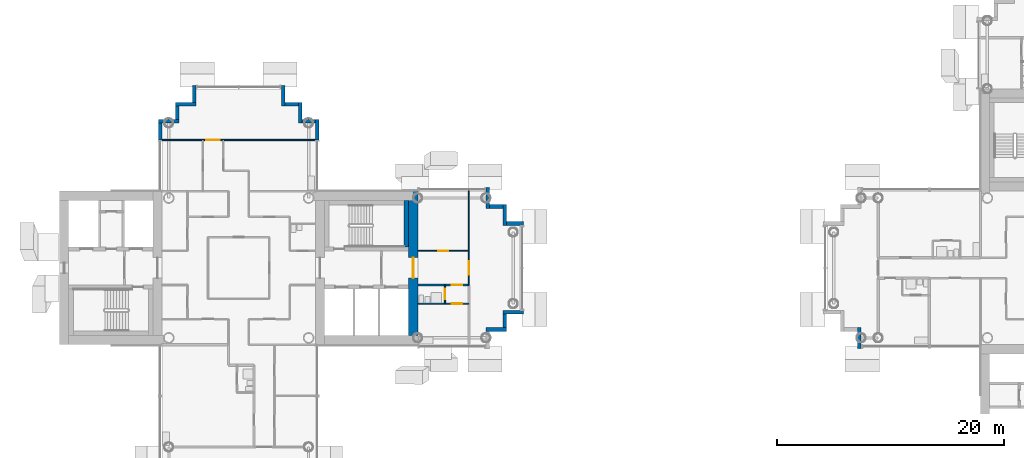
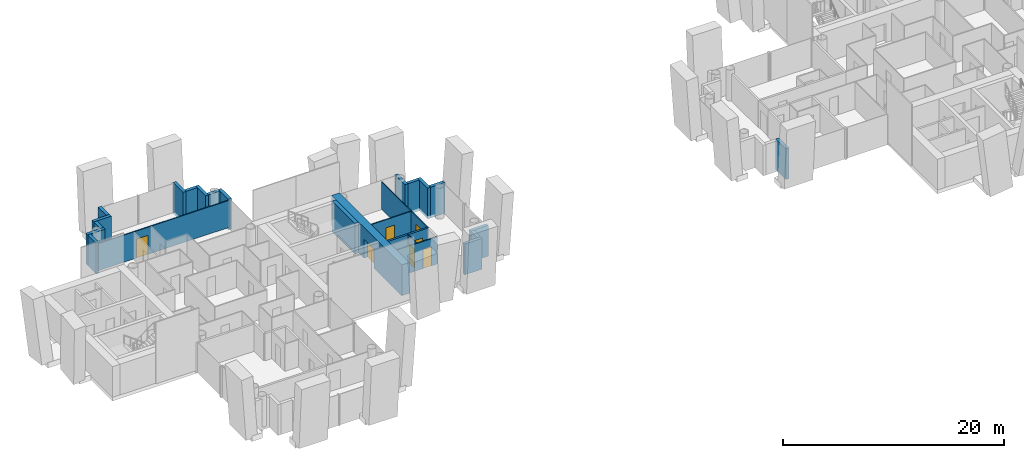
# One storey, part 8 of 18: 26 walls, 7 doors, 7 openings.
"""IFC4 building model written with IfcOpenShell, lengths in metres."""

from ifc_helpers import new_model, si_unit, direction, frame, frame_2d, origin, place, context, subcontext, project, spatial, rectangle, extrude, material, layer, layer_set, type_object, element, fill, save


model = new_model("IFC4")

# Units and contexts
model_context = context("Model", 3, precision=1e-05, world=origin(), true_north=direction((0.0, 1.0)))
body_context = subcontext(model_context, "Body", "Model", "MODEL_VIEW")
ifc_project = project(units=[si_unit("LENGTHUNIT", "METRE"), si_unit("AREAUNIT", "SQUARE_METRE"), si_unit("VOLUMEUNIT", "CUBIC_METRE"), si_unit("PLANEANGLEUNIT", "RADIAN"), si_unit("MASSUNIT", "GRAM", prefix="KILO")], contexts=[model_context])

# Site, building, storey
site_placement = place(None, origin())
site = spatial("IfcSite", under=ifc_project, at=site_placement, CompositionType="ELEMENT")
building_placement = place(site_placement, origin())
building = spatial("IfcBuilding", under=site, at=building_placement, Name="Ipe Terrace Towers", CompositionType="ELEMENT")
storey_placement = place(building_placement, frame((0.0, 0.0, 164.300048828125)))
storey = spatial("IfcBuildingStorey", under=building, at=storey_placement, Name="L45", CompositionType="ELEMENT", Elevation=164.300048828125)

# Walls
ifc_material_1 = material(Name="Concrete C40/50 with buff precast cladding", Category="concrete")
ifc_layer_1 = layer(ifc_material_1, 0.320068359375)
ifc_layer_set_1 = layer_set([ifc_layer_1], Name="BUFF CLADDING WALL 320")
wall_type_1 = type_object("IfcWallType", Name="BUFF CLADDING WALL 320", PredefinedType="STANDARD", material=ifc_layer_set_1)
wall_1_placement = place(storey_placement, frame((-14.25, -5.409912109375, -0.300048828125), z_axis=(0.0, 0.0, 1.0), x_axis=(1.0, 0.0, 0.0)))
element("IfcWall", 1, at=wall_1_placement, inside=storey, type_object=wall_type_1, Name="T1-W-L45-18a wall", PredefinedType="STANDARD", context=body_context, shape_type="SweptSolid", body=[
    extrude(rectangle(XDim=1.820068359375, YDim=0.320068359375, at=frame_2d((0.91015625, 0.0))), origin(), (0.0, 0.0, 1.0), 3.39990234375),
])
wall_2_placement = place(storey_placement, frame((-12.590087890625, -5.25, -0.300048828125), z_axis=(0.0, 0.0, 1.0), x_axis=(0.0, 1.0, 0.0)))
element("IfcWall", 2, at=wall_2_placement, inside=storey, type_object=wall_type_1, Name="T1-W-L45-19a wall", PredefinedType="STANDARD", context=body_context, shape_type="SweptSolid", body=[
    extrude(rectangle(XDim=1.179931640625, YDim=0.320068359375, at=frame_2d((0.58984375, 0.0))), origin(), (0.0, 0.0, 1.0), 3.39990234375),
])
wall_3_placement = place(storey_placement, frame((-12.75, -3.909912109375, -0.300048828125), z_axis=(0.0, 0.0, 1.0), x_axis=(1.0, 0.0, 0.0)))
element("IfcWall", 3, at=wall_3_placement, inside=storey, type_object=wall_type_1, Name="T1-W-L45-20a wall", PredefinedType="STANDARD", context=body_context, shape_type="SweptSolid", body=[
    extrude(rectangle(XDim=1.820068359375, YDim=0.320068359375, at=frame_2d((0.91015625, 0.0))), origin(), (0.0, 0.0, 1.0), 3.39990234375),
])
wall_4_placement = place(storey_placement, frame((-10.929931640625, 3.909912109375, -0.300048828125), z_axis=(0.0, 0.0, 1.0), x_axis=(-1.0, 0.0, 0.0)))
element("IfcWall", 4, at=wall_4_placement, inside=storey, type_object=wall_type_1, Name="T1-W-L45-22a wall", PredefinedType="STANDARD", context=body_context, shape_type="SweptSolid", body=[
    extrude(rectangle(XDim=1.5, YDim=0.320068359375, at=frame_2d((0.75, 0.0))), origin(), (0.0, 0.0, 1.0), 3.39990234375),
])
wall_5_placement = place(storey_placement, frame((-12.590087890625, 3.75, -0.300048828125), z_axis=(0.0, 0.0, 1.0), x_axis=(0.0, 1.0, 0.0)))
element("IfcWall", 5, at=wall_5_placement, inside=storey, type_object=wall_type_1, Name="T1-W-L45-23a wall", PredefinedType="STANDARD", context=body_context, shape_type="SweptSolid", body=[
    extrude(rectangle(XDim=1.820068359375, YDim=0.320068359375, at=frame_2d((0.91015625, 0.0))), origin(), (0.0, 0.0, 1.0), 3.39990234375),
])
wall_6_placement = place(storey_placement, frame((-12.75, 5.409912109375, -0.300048828125), z_axis=(0.0, 0.0, 1.0), x_axis=(-1.0, 0.0, 0.0)))
element("IfcWall", 6, at=wall_6_placement, inside=storey, type_object=wall_type_1, Name="T1-W-L45-24a wall", PredefinedType="STANDARD", context=body_context, shape_type="SweptSolid", body=[
    extrude(rectangle(XDim=1.179931640625, YDim=0.320068359375, at=frame_2d((0.58984375, 0.0))), origin(), (0.0, 0.0, 1.0), 3.39990234375),
])
for number, where, z_axis, x_axis, name in (
    (7, (-14.090087890625, 5.25, -0.300048828125), (0.0, 0.0, 1.0), (0.0, 1.0, 0.0), "T1-W-L45-25a wall"),
    (8, (-29.090087890625, 11.25, -0.300048828125), (0.0, 0.0, 1.0), (0.0, 1.0, 0.0), "T1-W-L45-29a wall"),
):
    element("IfcWall", number, at=place(storey_placement, frame(where, z_axis=z_axis, x_axis=x_axis)), inside=storey, type_object=wall_type_1, Name=name, PredefinedType="STANDARD", context=body_context, shape_type="SweptSolid", body=[
        extrude(rectangle(XDim=1.820068359375, YDim=0.320068359375, at=frame_2d((0.91015625, 0.0))), origin(), (0.0, 0.0, 1.0), 3.39990234375),
    ])
wall_7_placement = place(storey_placement, frame((-29.25, 12.909912109375, -0.300048828125), z_axis=(0.0, 0.0, 1.0), x_axis=(-1.0, 0.0, 0.0)))
element("IfcWall", 9, at=wall_7_placement, inside=storey, type_object=wall_type_1, Name="T1-W-L45-30a wall", PredefinedType="STANDARD", context=body_context, shape_type="SweptSolid", body=[
    extrude(rectangle(XDim=1.179931640625, YDim=0.320068359375, at=frame_2d((0.58984375, 0.0))), origin(), (0.0, 0.0, 1.0), 3.39990234375),
])
wall_8_placement = place(storey_placement, frame((-30.590087890625, 12.75, -0.300048828125), z_axis=(0.0, 0.0, 1.0), x_axis=(0.0, 1.0, 0.0)))
element("IfcWall", 10, at=wall_8_placement, inside=storey, type_object=wall_type_1, Name="T1-W-L45-31a wall", PredefinedType="STANDARD", context=body_context, shape_type="SweptSolid", body=[
    extrude(rectangle(XDim=1.820068359375, YDim=0.320068359375, at=frame_2d((0.91015625, 0.0))), origin(), (0.0, 0.0, 1.0), 3.39990234375),
])
wall_9_placement = place(storey_placement, frame((-30.75, 14.409912109375, -0.300048828125), z_axis=(0.0, 0.0, 1.0), x_axis=(-1.0, 0.0, 0.0)))
element("IfcWall", 11, at=wall_9_placement, inside=storey, type_object=wall_type_1, Name="T1-W-L45-32a wall", PredefinedType="STANDARD", context=body_context, shape_type="SweptSolid", body=[
    extrude(rectangle(XDim=1.179931640625, YDim=0.320068359375, at=frame_2d((0.58984375, 0.0))), origin(), (0.0, 0.0, 1.0), 3.39990234375),
])
wall_10_placement = place(storey_placement, frame((-32.090087890625, 14.25, -0.300048828125), z_axis=(0.0, 0.0, 1.0), x_axis=(0.0, 1.0, 0.0)))
element("IfcWall", 12, at=wall_10_placement, inside=storey, type_object=wall_type_1, Name="T1-W-L45-33a wall", PredefinedType="STANDARD", context=body_context, shape_type="SweptSolid", body=[
    extrude(rectangle(XDim=1.820068359375, YDim=0.320068359375, at=frame_2d((0.91015625, 0.0))), origin(), (0.0, 0.0, 1.0), 3.39990234375),
])
wall_11_placement = place(storey_placement, frame((-39.909912109375, 16.070068359375, -0.300048828125), z_axis=(0.0, 0.0, 1.0), x_axis=(0.0, -1.0, 0.0)))
element("IfcWall", 13, at=wall_11_placement, inside=storey, type_object=wall_type_1, Name="T1-W-L45-35a wall", PredefinedType="STANDARD", context=body_context, shape_type="SweptSolid", body=[
    extrude(rectangle(XDim=1.5, YDim=0.320068359375, at=frame_2d((0.75, 0.0))), origin(), (0.0, 0.0, 1.0), 3.39990234375),
])
wall_12_placement = place(storey_placement, frame((-39.75, 14.409912109375, -0.300048828125), z_axis=(0.0, 0.0, 1.0), x_axis=(-1.0, 0.0, 0.0)))
element("IfcWall", 14, at=wall_12_placement, inside=storey, type_object=wall_type_1, Name="T1-W-L45-36a wall", PredefinedType="STANDARD", context=body_context, shape_type="SweptSolid", body=[
    extrude(rectangle(XDim=1.820068359375, YDim=0.320068359375, at=frame_2d((0.91015625, 0.0))), origin(), (0.0, 0.0, 1.0), 3.39990234375),
])
wall_13_placement = place(storey_placement, frame((-41.409912109375, 14.25, -0.300048828125), z_axis=(0.0, 0.0, 1.0), x_axis=(0.0, -1.0, 0.0)))
element("IfcWall", 15, at=wall_13_placement, inside=storey, type_object=wall_type_1, Name="T1-W-L45-37a wall", PredefinedType="STANDARD", context=body_context, shape_type="SweptSolid", body=[
    extrude(rectangle(XDim=1.179931640625, YDim=0.320068359375, at=frame_2d((0.58984375, 0.0))), origin(), (0.0, 0.0, 1.0), 3.39990234375),
])
wall_14_placement = place(storey_placement, frame((-41.25, 12.909912109375, -0.300048828125), z_axis=(0.0, 0.0, 1.0), x_axis=(-1.0, 0.0, 0.0)))
element("IfcWall", 16, at=wall_14_placement, inside=storey, type_object=wall_type_1, Name="T1-W-L45-38a wall", PredefinedType="STANDARD", context=body_context, shape_type="SweptSolid", body=[
    extrude(rectangle(XDim=1.820068359375, YDim=0.320068359375, at=frame_2d((0.91015625, 0.0))), origin(), (0.0, 0.0, 1.0), 3.39990234375),
])
wall_15_placement = place(storey_placement, frame((-42.909912109375, 12.75, -0.300048828125), z_axis=(0.0, 0.0, 1.0), x_axis=(0.0, -1.0, 0.0)))
element("IfcWall", 17, at=wall_15_placement, inside=storey, type_object=wall_type_1, Name="T1-W-L45-39a wall", PredefinedType="STANDARD", context=body_context, shape_type="SweptSolid", body=[
    extrude(rectangle(XDim=1.5, YDim=0.320068359375, at=frame_2d((0.75, 0.0))), origin(), (0.0, 0.0, 1.0), 3.39990234375),
])
wall_16_placement = place(storey_placement, frame((18.590087890625, -5.25, -0.300048828125), z_axis=(0.0, 0.0, 1.0), x_axis=(0.0, -1.0, 0.0)))
element("IfcWall", 18, at=wall_16_placement, inside=storey, type_object=wall_type_1, Name="T2-W-L45-38a wall", PredefinedType="STANDARD", context=body_context, shape_type="SweptSolid", body=[
    extrude(rectangle(XDim=1.820068359375, YDim=0.320068359375, at=frame_2d((0.91015625, 0.0))), origin(), (0.0, 0.0, 1.0), 3.39990234375),
])

# Wall, opening, door
ifc_material_2 = material(Name="Gypsum board partition", Category="plasterboard")
ifc_layer_2 = layer(ifc_material_2, 0.10009765625)
ifc_layer_set_2 = layer_set([ifc_layer_2], Name="Gypsum board partition 100 mm")
wall_type_2 = type_object("IfcWallType", Name="Gypsum board partition 100 mm", PredefinedType="PARTITIONING", material=ifc_layer_set_2)
wall_17_placement = place(storey_placement, frame((-17.85009765625, -3.14990234375, 0.0), z_axis=(0.0, 0.0, 1.0), x_axis=(0.0, 1.0, 0.0)))
wall_17 = element("IfcWall", 19, at=wall_17_placement, inside=storey, type_object=wall_type_2, Name="Gypsum board partition T1 L45 W17", PredefinedType="PARTITIONING", context=body_context, shape_type="SweptSolid", body=[
    extrude(rectangle(XDim=1.64990234375, YDim=0.10009765625, at=frame_2d((0.824951171875, 0.0))), origin(), (0.0, 0.0, 1.0), 3.0),
])
opening_1_placement = place(wall_17_placement, frame((0.39990234375, 0.0, 0.0)))
opening_1 = element("IfcOpeningElement", 20, at=opening_1_placement, cuts=wall_17, Name="Opening T1-Z3F-21", PredefinedType="OPENING", context=body_context, shape_type="SweptSolid", body=[
    extrude(rectangle(XDim=0.89990234375, YDim=2.10009765625, at=frame_2d((0.449951171875, 1.050048828125))), frame((0.0, 0.06005859375, 0.0), z_axis=(0.0, -1.0, 0.0), x_axis=(1.0, 0.0, 0.0)), (0.0, 0.0, 1.0), 0.1201171875),
])
ifc_material_3 = material(Name="Timber door leaf", Category="wood")
door_type_1 = type_object("IfcDoorType", Name="Bathroom door 900 x 2100", OperationType="NOTDEFINED", PredefinedType="DOOR", material=ifc_material_3)
door_1_placement = place(opening_1_placement, origin())
door_1 = element("IfcDoor", 21, at=door_1_placement, inside=storey, type_object=door_type_1, Name="Bathroom door T1-Z3F-21", OperationType="SINGLE_SWING_LEFT", OverallHeight=2.10009765625, OverallWidth=0.89990234375, PredefinedType="DOOR", context=body_context, shape_type="SweptSolid", body=[
    extrude(rectangle(XDim=0.89990234375, YDim=2.10009765625, at=frame_2d((0.449951171875, 1.050048828125))), frame((0.0, 0.02490234375, 0.0), z_axis=(0.0, -1.0, 0.0), x_axis=(1.0, 0.0, 0.0)), (0.0, 0.0, 1.0), 0.050048828125),
])
fill(opening_1, door_1)

wall_18_placement = place(storey_placement, frame((-15.75, -1.5, 0.0), z_axis=(0.0, 0.0, 1.0), x_axis=(0.0, 1.0, 0.0)))
wall_18 = element("IfcWall", 22, at=wall_18_placement, inside=storey, type_object=wall_type_2, Name="Gypsum board partition T1 L45 W18", PredefinedType="PARTITIONING", context=body_context, shape_type="SweptSolid", body=[
    extrude(rectangle(XDim=8.35009765625, YDim=0.10009765625, at=frame_2d((4.175048828125, 0.0))), origin(), (0.0, 0.0, 1.0), 3.0),
])
opening_2_placement = place(wall_18_placement, frame((0.89990234375, 0.0, 0.0)))
opening_2 = element("IfcOpeningElement", 23, at=opening_2_placement, cuts=wall_18, Name="Opening T1-Z3F-22", PredefinedType="OPENING", context=body_context, shape_type="SweptSolid", body=[
    extrude(rectangle(XDim=1.199951171875, YDim=2.10009765625, at=frame_2d((0.60009765625, 1.050048828125))), frame((0.0, 0.06005859375, 0.0), z_axis=(0.0, -1.0, 0.0), x_axis=(1.0, 0.0, 0.0)), (0.0, 0.0, 1.0), 0.1201171875),
])
ifc_material_4 = material(Name="Timber door leaf", Category="wood")
door_type_2 = type_object("IfcDoorType", Name="Lounge door 1200 x 2100", OperationType="NOTDEFINED", PredefinedType="DOOR", material=ifc_material_4)
door_2_placement = place(opening_2_placement, origin())
door_2 = element("IfcDoor", 24, at=door_2_placement, inside=storey, type_object=door_type_2, Name="Lounge door T1-Z3F-22", OperationType="SINGLE_SWING_LEFT", OverallHeight=2.10009765625, OverallWidth=1.199951171875, PredefinedType="DOOR", context=body_context, shape_type="SweptSolid", body=[
    extrude(rectangle(XDim=1.199951171875, YDim=2.10009765625, at=frame_2d((0.60009765625, 1.050048828125))), frame((0.0, 0.02490234375, 0.0), z_axis=(0.0, -1.0, 0.0), x_axis=(1.0, 0.0, 0.0)), (0.0, 0.0, 1.0), 0.050048828125),
])
fill(opening_2, door_2)

wall_19_placement = place(storey_placement, frame((-20.25, -3.14990234375, 0.0), z_axis=(0.0, 0.0, 1.0), x_axis=(1.0, 0.0, 0.0)))
wall_19 = element("IfcWall", 25, at=wall_19_placement, inside=storey, type_object=wall_type_2, Name="Gypsum board partition T1 L45 W29", PredefinedType="PARTITIONING", context=body_context, shape_type="SweptSolid", body=[
    extrude(rectangle(XDim=4.5, YDim=0.10009765625, at=frame_2d((2.25, 0.0))), origin(), (0.0, 0.0, 1.0), 3.0),
])
opening_3_placement = place(wall_19_placement, frame((3.0, 0.0, 0.0)))
opening_3 = element("IfcOpeningElement", 26, at=opening_3_placement, cuts=wall_19, Name="Opening T1-Z3F-20", PredefinedType="OPENING", context=body_context, shape_type="SweptSolid", body=[
    extrude(rectangle(XDim=0.89990234375, YDim=2.10009765625, at=frame_2d((0.449951171875, 1.050048828125))), frame((0.0, 0.06005859375, 0.0), z_axis=(0.0, -1.0, 0.0), x_axis=(1.0, 0.0, 0.0)), (0.0, 0.0, 1.0), 0.1201171875),
])
ifc_material_5 = material(Name="Timber door leaf", Category="wood")
door_type_3 = type_object("IfcDoorType", Name="Bedroom door 900 x 2100", OperationType="NOTDEFINED", PredefinedType="DOOR", material=ifc_material_5)
door_3_placement = place(opening_3_placement, origin())
door_3 = element("IfcDoor", 27, at=door_3_placement, inside=storey, type_object=door_type_3, Name="Bedroom door T1-Z3F-20", OperationType="SINGLE_SWING_RIGHT", OverallHeight=2.10009765625, OverallWidth=0.89990234375, PredefinedType="DOOR", context=body_context, shape_type="SweptSolid", body=[
    extrude(rectangle(XDim=0.89990234375, YDim=2.10009765625, at=frame_2d((0.449951171875, 1.050048828125))), frame((0.0, 0.02490234375, 0.0), z_axis=(0.0, -1.0, 0.0), x_axis=(1.0, 0.0, 0.0)), (0.0, 0.0, 1.0), 0.050048828125),
])
fill(opening_3, door_3)

wall_20_placement = place(storey_placement, frame((-20.25, 1.5, 0.0), z_axis=(0.0, 0.0, 1.0), x_axis=(1.0, 0.0, 0.0)))
wall_20 = element("IfcWall", 28, at=wall_20_placement, inside=storey, type_object=wall_type_2, Name="Gypsum board partition T1 L45 W36", PredefinedType="PARTITIONING", context=body_context, shape_type="SweptSolid", body=[
    extrude(rectangle(XDim=4.5, YDim=0.10009765625, at=frame_2d((2.25, 0.0))), origin(), (0.0, 0.0, 1.0), 3.0),
])
opening_4_placement = place(wall_20_placement, frame((1.800048828125, 0.0, 0.0)))
opening_4 = element("IfcOpeningElement", 29, at=opening_4_placement, cuts=wall_20, Name="Opening T1-Z3F-18", PredefinedType="OPENING", context=body_context, shape_type="SweptSolid", body=[
    extrude(rectangle(XDim=0.89990234375, YDim=2.10009765625, at=frame_2d((0.449951171875, 1.050048828125))), frame((0.0, 0.06005859375, 0.0), z_axis=(0.0, -1.0, 0.0), x_axis=(1.0, 0.0, 0.0)), (0.0, 0.0, 1.0), 0.1201171875),
])
ifc_material_6 = material(Name="Timber door leaf", Category="wood")
door_type_4 = type_object("IfcDoorType", Name="Lounge door 900 x 2100", OperationType="NOTDEFINED", PredefinedType="DOOR", material=ifc_material_6)
door_4_placement = place(opening_4_placement, origin())
door_4 = element("IfcDoor", 30, at=door_4_placement, inside=storey, type_object=door_type_4, Name="Lounge door T1-Z3F-18", OperationType="SINGLE_SWING_LEFT", OverallHeight=2.10009765625, OverallWidth=0.89990234375, PredefinedType="DOOR", context=body_context, shape_type="SweptSolid", body=[
    extrude(rectangle(XDim=0.89990234375, YDim=2.10009765625, at=frame_2d((0.449951171875, 1.050048828125))), frame((0.0, 0.02490234375, 0.0), z_axis=(0.0, -1.0, 0.0), x_axis=(1.0, 0.0, 0.0)), (0.0, 0.0, 1.0), 0.050048828125),
])
fill(opening_4, door_4)

wall_21_placement = place(storey_placement, frame((-42.85009765625, 11.25, 0.0), z_axis=(0.0, 0.0, 1.0), x_axis=(1.0, 0.0, 0.0)))
wall_21 = element("IfcWall", 31, at=wall_21_placement, inside=storey, type_object=wall_type_2, Name="Gypsum board partition T1 L45 W44", PredefinedType="PARTITIONING", context=body_context, shape_type="SweptSolid", body=[
    extrude(rectangle(XDim=13.7001953125, YDim=0.10009765625, at=frame_2d((6.85009765625, 0.0))), origin(), (0.0, 0.0, 1.0), 3.0),
])
opening_5_placement = place(wall_21_placement, frame((4.0, 0.0, 0.0)))
opening_5 = element("IfcOpeningElement", 32, at=opening_5_placement, cuts=wall_21, Name="Opening T1-Z3F-12", PredefinedType="OPENING", context=body_context, shape_type="SweptSolid", body=[
    extrude(rectangle(XDim=1.199951171875, YDim=2.10009765625, at=frame_2d((0.60009765625, 1.050048828125))), frame((0.0, 0.06005859375, 0.0), z_axis=(0.0, -1.0, 0.0), x_axis=(1.0, 0.0, 0.0)), (0.0, 0.0, 1.0), 0.1201171875),
])
door_5_placement = place(opening_5_placement, origin())
door_5 = element("IfcDoor", 33, at=door_5_placement, inside=storey, type_object=door_type_2, Name="Lounge door T1-Z3F-12", OperationType="SINGLE_SWING_RIGHT", OverallHeight=2.10009765625, OverallWidth=1.199951171875, PredefinedType="DOOR", context=body_context, shape_type="SweptSolid", body=[
    extrude(rectangle(XDim=1.199951171875, YDim=2.10009765625, at=frame_2d((0.60009765625, 1.050048828125))), frame((0.0, 0.02490234375, 0.0), z_axis=(0.0, -1.0, 0.0), x_axis=(1.0, 0.0, 0.0)), (0.0, 0.0, 1.0), 0.050048828125),
])
fill(opening_5, door_5)

ifc_material_7 = material(Name="Gypsum board party wall", Category="plasterboard")
ifc_layer_3 = layer(ifc_material_7, 0.199951171875)
ifc_layer_set_3 = layer_set([ifc_layer_3], Name="Gypsum board party wall 200 mm")
wall_type_3 = type_object("IfcWallType", Name="Gypsum board party wall 200 mm", PredefinedType="SOLIDWALL", material=ifc_layer_set_3)
wall_22_placement = place(storey_placement, frame((-20.25, -1.5, 0.0), z_axis=(0.0, 0.0, 1.0), x_axis=(1.0, 0.0, 0.0)))
wall_22 = element("IfcWall", 34, at=wall_22_placement, inside=storey, type_object=wall_type_3, Name="Gypsum board party wall T1 L45 W33", PredefinedType="SOLIDWALL", context=body_context, shape_type="SweptSolid", body=[
    extrude(rectangle(XDim=4.5, YDim=0.199951171875, at=frame_2d((2.25, 0.0))), origin(), (0.0, 0.0, 1.0), 3.0),
])
opening_6_placement = place(wall_22_placement, frame((3.0, 0.0, 0.0)))
opening_6 = element("IfcOpeningElement", 35, at=opening_6_placement, cuts=wall_22, Name="Opening T1-Z3F-19", PredefinedType="OPENING", context=body_context, shape_type="SweptSolid", body=[
    extrude(rectangle(XDim=0.89990234375, YDim=2.10009765625, at=frame_2d((0.449951171875, 1.050048828125))), frame((0.0, 0.10986328125, 0.0), z_axis=(0.0, -1.0, 0.0), x_axis=(1.0, 0.0, 0.0)), (0.0, 0.0, 1.0), 0.219970703125),
])
ifc_material_8 = material(Name="Fire-rated timber door leaf", Category="wood")
door_type_5 = type_object("IfcDoorType", Name="Flat entrance door 900 x 2100 FD30S", OperationType="NOTDEFINED", PredefinedType="DOOR", material=ifc_material_8)
door_6_placement = place(opening_6_placement, origin())
door_6 = element("IfcDoor", 36, at=door_6_placement, inside=storey, type_object=door_type_5, Name="Flat entrance door T1-Z3F-19", OperationType="SINGLE_SWING_RIGHT", OverallHeight=2.10009765625, OverallWidth=0.89990234375, PredefinedType="DOOR", context=body_context, shape_type="SweptSolid", body=[
    extrude(rectangle(XDim=0.89990234375, YDim=2.10009765625, at=frame_2d((0.449951171875, 1.050048828125))), frame((0.0, 0.02490234375, 0.0), z_axis=(0.0, -1.0, 0.0), x_axis=(1.0, 0.0, 0.0)), (0.0, 0.0, 1.0), 0.050048828125),
])
fill(opening_6, door_6)

# Wall
ifc_material_9 = material(Name="Concrete C50/60", Category="concrete")
ifc_layer_4 = layer(ifc_material_9, 0.39990234375)
ifc_layer_set_4 = layer_set([ifc_layer_4], Name="RW400 CORE INFILL WALL 400 C50-60")
wall_type_4 = type_object("IfcWallType", Name="RW400 CORE INFILL WALL 400 C50-60", PredefinedType="SHEAR", material=ifc_layer_set_4)
wall_23_placement = place(storey_placement, frame((-21.25, 1.85009765625, 0.0), z_axis=(0.0, 0.0, 1.0), x_axis=(0.0, 1.0, 0.0)))
element("IfcWall", 37, at=wall_23_placement, inside=storey, type_object=wall_type_4, Name="Core infill wall T1-C1-far", PredefinedType="SHEAR", context=body_context, shape_type="SweptSolid", body=[
    extrude(rectangle(XDim=4.099853515625, YDim=0.39990234375, at=frame_2d((2.0498046875, 0.0))), origin(), (0.0, 0.0, 1.0), 3.39990234375),
])

# Wall, opening, door
ifc_material_10 = material(Name="Concrete C50/60", Category="concrete")
ifc_layer_5 = layer(ifc_material_10, 0.800048828125)
ifc_layer_set_5 = layer_set([ifc_layer_5], Name="RW800 CORE WALL 800 C50-60")
wall_type_5 = type_object("IfcWallType", Name="RW800 CORE WALL 800 C50-60", PredefinedType="SHEAR", material=ifc_layer_set_5)
wall_24_placement = place(storey_placement, frame((-20.64990234375, -5.949951171875, 0.0), z_axis=(0.0, 0.0, 1.0), x_axis=(0.0, 1.0, 0.0)))
wall_24 = element("IfcWall", 38, at=wall_24_placement, inside=storey, type_object=wall_type_5, Name="Core wall T1-C1-Z3-W02", PredefinedType="SHEAR", context=body_context, shape_type="SweptSolid", body=[
    extrude(rectangle(XDim=12.699951171875, YDim=0.800048828125, at=frame_2d((6.35009765625, 0.0))), origin(), (0.0, 0.0, 1.0), 3.39990234375),
])
opening_7_placement = place(wall_24_placement, frame((5.050048828125, 0.0, 0.0)))
opening_7 = element("IfcOpeningElement", 39, at=opening_7_placement, cuts=wall_24, Name="Opening T1C1-FD", PredefinedType="OPENING", context=body_context, shape_type="SweptSolid", body=[
    extrude(rectangle(XDim=1.800048828125, YDim=2.10009765625, at=frame_2d((0.89990234375, 1.050048828125))), frame((0.0, 0.41015625, 0.0), z_axis=(0.0, -1.0, 0.0), x_axis=(1.0, 0.0, 0.0)), (0.0, 0.0, 1.0), 0.820068359375),
])
ifc_material_11 = material(Name="Fire-rated timber door leaf", Category="wood")
door_type_6 = type_object("IfcDoorType", Name="Fire door 1800 x 2100 FD30S", OperationType="NOTDEFINED", PredefinedType="DOOR", material=ifc_material_11)
door_7_placement = place(opening_7_placement, origin())
door_7 = element("IfcDoor", 40, at=door_7_placement, inside=storey, type_object=door_type_6, Name="Fire door T1C1-FD", OperationType="SINGLE_SWING_LEFT", OverallHeight=2.10009765625, OverallWidth=1.800048828125, PredefinedType="DOOR", context=body_context, shape_type="SweptSolid", body=[
    extrude(rectangle(XDim=1.800048828125, YDim=2.10009765625, at=frame_2d((0.89990234375, 1.050048828125))), frame((0.0, 0.02490234375, 0.0), z_axis=(0.0, -1.0, 0.0), x_axis=(1.0, 0.0, 0.0)), (0.0, 0.0, 1.0), 0.050048828125),
])
fill(opening_7, door_7)

save(model, "model.ifc")
